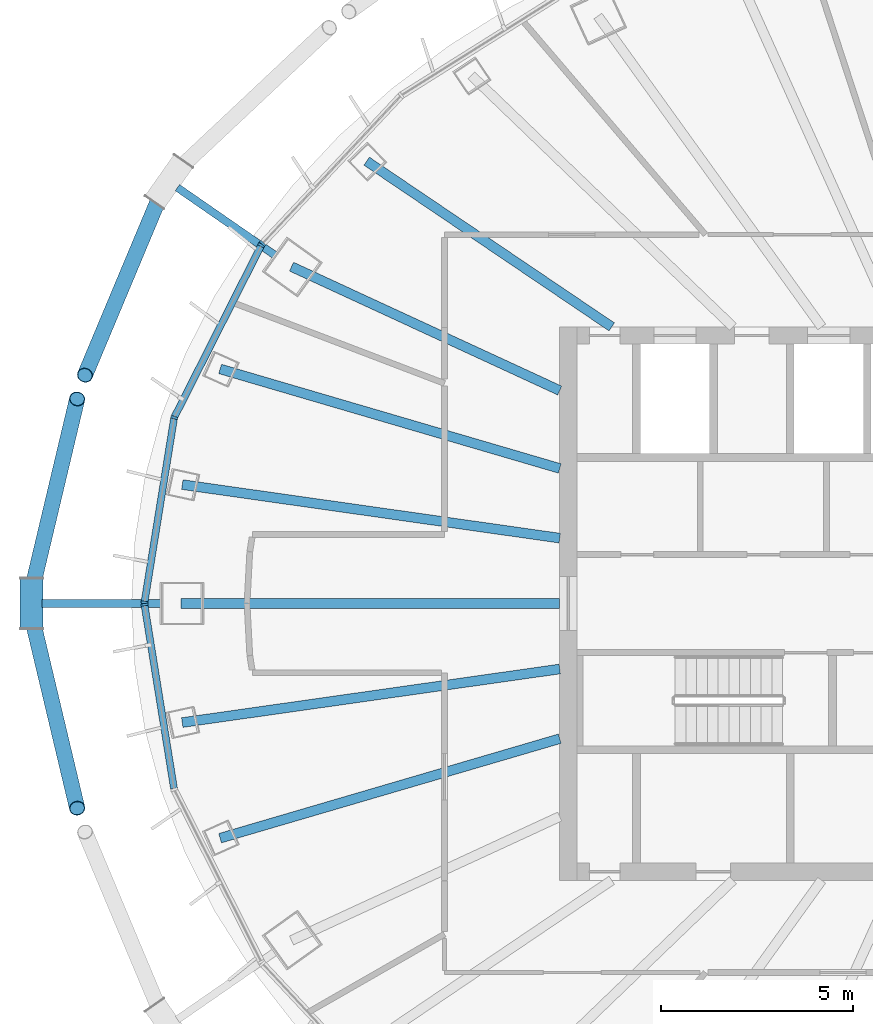
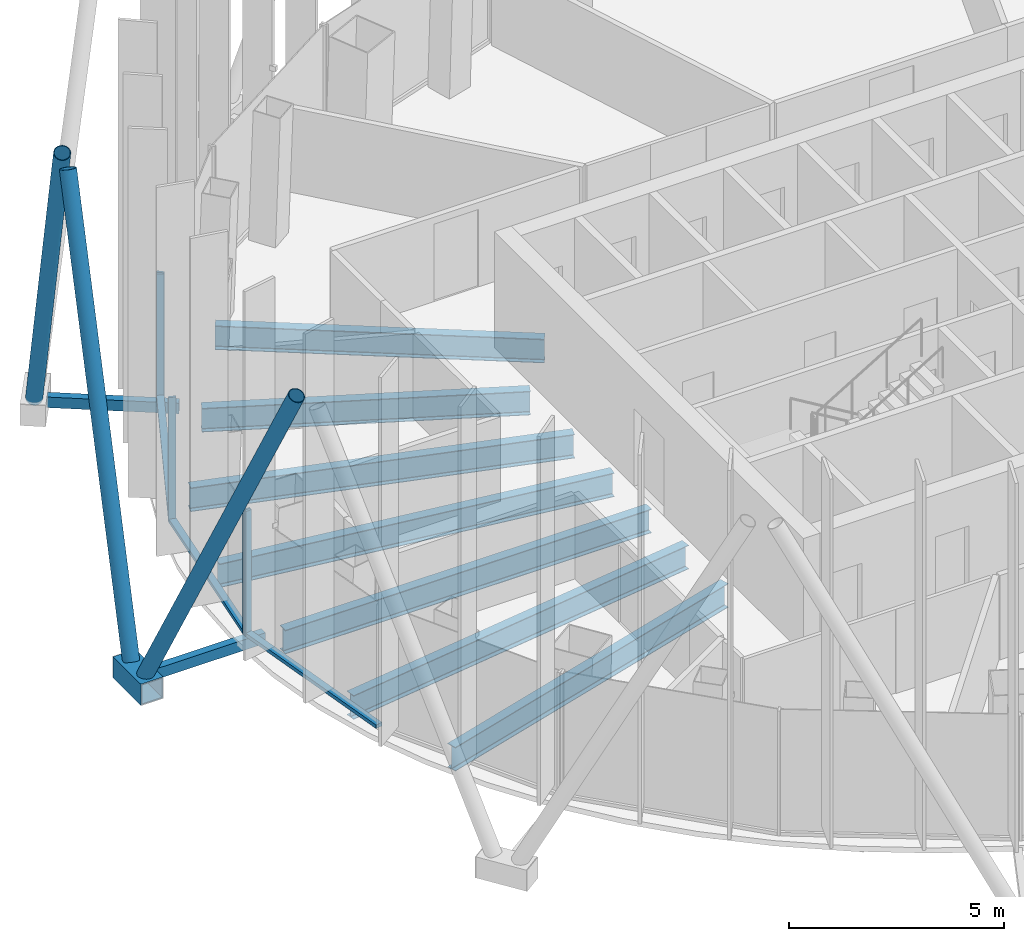
# One storey, part 3 of 17: 14 members, 7 beams, 3 elements without a shape of their own.
"""IFC4 building model written with IfcOpenShell, lengths in metres."""

from ifc_helpers import new_model, si_unit, direction, frame, origin, origin_2d, place, context, subcontext, project, spatial, rectangle, hollow_rectangle, hollow_circle, i_section, extrude, material, layer, layer_set, material_profile, profile_set, type_object, element, aggregate, save


model = new_model("IFC4")

# Units and contexts
model_context = context("Model", 3, precision=1e-05, world=origin(), true_north=direction((0.0, 1.0)))
body_context = subcontext(model_context, "Body", "Model", "MODEL_VIEW")
ifc_project = project(units=[si_unit("LENGTHUNIT", "METRE"), si_unit("AREAUNIT", "SQUARE_METRE"), si_unit("VOLUMEUNIT", "CUBIC_METRE"), si_unit("PLANEANGLEUNIT", "RADIAN"), si_unit("MASSUNIT", "GRAM", prefix="KILO")], contexts=[model_context])

# Site, building, storey
site_placement = place(None, origin())
site = spatial("IfcSite", under=ifc_project, at=site_placement, CompositionType="ELEMENT")
building_placement = place(site_placement, origin())
building = spatial("IfcBuilding", under=site, at=building_placement, Name="Siaravel Broadcast Tower", CompositionType="ELEMENT")
storey_placement = place(building_placement, frame((0.0, 0.0, 190.39990234375)))
storey = spatial("IfcBuildingStorey", under=building, at=storey_placement, Name="L46", CompositionType="ELEMENT", Elevation=190.39990234375)

# Beams
ifc_material_1 = material(Name="Steel S355", Category="steel")
ifc_material_profile_1 = material_profile(ifc_material_1, i_section(OverallWidth=0.2529296875, OverallDepth=0.677978515625, WebThickness=0.01171875, FlangeThickness=0.01611328125, FilletRadius=0.01513671875, at=origin_2d()))
ifc_profile_set_1 = profile_set([ifc_material_profile_1], Name="Steel S355")
beam_type = type_object("IfcBeamType", Name="BM-UB 686x254x125", PredefinedType="BEAM", material=ifc_profile_set_1)
beam_1_placement = place(storey_placement, frame((-17.023681640625, 11.51220703125, -0.489013671875), z_axis=(0.828367821, -0.560184571, 0.0), x_axis=(0.560184571, 0.828367821, 0.0)))
element("IfcBeam", 1, at=beam_1_placement, inside=storey, type_object=beam_type, Name="Radial beam RB15", PredefinedType="BEAM", context=body_context, shape_type="SweptSolid", body=[
    extrude(i_section(OverallWidth=0.2529296875, OverallDepth=0.677978515625, WebThickness=0.01171875, FlangeThickness=0.01611328125, FilletRadius=0.01513671875, at=origin_2d()), origin(), (0.0, 0.0, 1.0), 7.697998046875),
])
beam_2_placement = place(storey_placement, frame((-18.978271484375, 8.7666015625, -0.489013671875), z_axis=(0.907828267, -0.419342148, 0.0), x_axis=(0.419342148, 0.907828267, 0.0)))
element("IfcBeam", 2, at=beam_2_placement, inside=storey, type_object=beam_type, Name="Radial beam RB16", PredefinedType="BEAM", context=body_context, shape_type="SweptSolid", body=[
    extrude(i_section(OverallWidth=0.2529296875, OverallDepth=0.677978515625, WebThickness=0.01171875, FlangeThickness=0.01611328125, FilletRadius=0.01513671875, at=origin_2d()), origin(), (0.0, 0.0, 1.0), 7.686767578125),
])
beam_3_placement = place(storey_placement, frame((-20.837158203125, 6.105224609375, -0.489013671875), z_axis=(0.959660493, -0.281161409, 0.0), x_axis=(0.281161409, 0.959660493, 0.0)))
element("IfcBeam", 3, at=beam_3_placement, inside=storey, type_object=beam_type, Name="Radial beam RB17", PredefinedType="BEAM", context=body_context, shape_type="SweptSolid", body=[
    extrude(i_section(OverallWidth=0.2529296875, OverallDepth=0.677978515625, WebThickness=0.01171875, FlangeThickness=0.01611328125, FilletRadius=0.01513671875, at=origin_2d()), origin(), (0.0, 0.0, 1.0), 9.208740234375),
])
beam_4_placement = place(storey_placement, frame((-21.821533203125, 3.09619140625, -0.489013671875), z_axis=(0.990083424, -0.140480653, 0.0), x_axis=(0.140480653, 0.990083424, 0.0)))
element("IfcBeam", 4, at=beam_4_placement, inside=storey, type_object=beam_type, Name="Radial beam RB18", PredefinedType="BEAM", context=body_context, shape_type="SweptSolid", body=[
    extrude(i_section(OverallWidth=0.2529296875, OverallDepth=0.677978515625, WebThickness=0.01171875, FlangeThickness=0.01611328125, FilletRadius=0.01513671875, at=origin_2d()), origin(), (0.0, 0.0, 1.0), 9.919921875),
])
beam_5_placement = place(storey_placement, frame((-21.852294921875, 0.0, -0.489013671875), z_axis=(1.0, 0.0, 0.0), x_axis=(0.0, 1.0, 0.0)))
element("IfcBeam", 5, at=beam_5_placement, inside=storey, type_object=beam_type, Name="Radial beam RB19", PredefinedType="BEAM", context=body_context, shape_type="SweptSolid", body=[
    extrude(i_section(OverallWidth=0.2529296875, OverallDepth=0.677978515625, WebThickness=0.01171875, FlangeThickness=0.01611328125, FilletRadius=0.01513671875, at=origin_2d()), origin(), (0.0, 0.0, 1.0), 9.852294921875),
])
beam_6_placement = place(storey_placement, frame((-21.821533203125, -3.09619140625, -0.489013671875), z_axis=(0.990083424, 0.140480653, 0.0), x_axis=(-0.140480653, 0.990083424, 0.0)))
element("IfcBeam", 6, at=beam_6_placement, inside=storey, type_object=beam_type, Name="Radial beam RB20", PredefinedType="BEAM", context=body_context, shape_type="SweptSolid", body=[
    extrude(i_section(OverallWidth=0.2529296875, OverallDepth=0.677978515625, WebThickness=0.01171875, FlangeThickness=0.01611328125, FilletRadius=0.01513671875, at=origin_2d()), origin(), (0.0, 0.0, 1.0), 9.919921875),
])
beam_7_placement = place(storey_placement, frame((-20.837158203125, -6.105224609375, -0.489013671875), z_axis=(0.959660493, 0.281161409, 0.0), x_axis=(-0.281161409, 0.959660493, 0.0)))
element("IfcBeam", 7, at=beam_7_placement, inside=storey, type_object=beam_type, Name="Radial beam RB21", PredefinedType="BEAM", context=body_context, shape_type="SweptSolid", body=[
    extrude(i_section(OverallWidth=0.2529296875, OverallDepth=0.677978515625, WebThickness=0.01171875, FlangeThickness=0.01611328125, FilletRadius=0.01513671875, at=origin_2d()), origin(), (0.0, 0.0, 1.0), 9.208740234375),
])

# Curtain wall, member
ifc_material_2 = material(Name="Aluminium 6063-T6", Category="aluminium")
ifc_layer = layer(ifc_material_2, 0.179931640625)
ifc_layer_set = layer_set([ifc_layer], Name="Aluminium 6063-T6")
curtain_wall_type = type_object("IfcCurtainWallType", Name="Unitised curtain wall, zone 3", PredefinedType="NOTDEFINED", material=ifc_layer_set)
curtain_wall_1_placement = place(storey_placement, origin())
curtain_wall_1 = element("IfcCurtainWall", 8, at=curtain_wall_1_placement, inside=storey, type_object=curtain_wall_type, Name="L46 Unitised curtain wall, zone 3 05", PredefinedType="NOTDEFINED")
ifc_material_profile_2 = material_profile(ifc_material_2, rectangle(XDim=0.179931640625, YDim=0.06005859375, at=origin_2d()))
ifc_profile_set_2 = profile_set([ifc_material_profile_2], Name="Aluminium 6063-T6")
member_type_1 = type_object("IfcMemberType", Name="CW-Z3 mullion", PredefinedType="MULLION", material=ifc_profile_set_2)
member_1_placement = place(storey_placement, frame((-19.7314453125, 9.372314453125, 0.0), z_axis=(0.0, 0.0, 1.0), x_axis=(0.729805157, -0.6836552, 0.0)))
member_1 = element("IfcMember", 9, at=member_1_placement, type_object=member_type_1, Name="CW-Z3 mullion 3", PredefinedType="MULLION", context=body_context, shape_type="SweptSolid", body=[
    extrude(rectangle(XDim=0.179931640625, YDim=0.06005859375, at=origin_2d()), origin(), (0.0, 0.0, 1.0), 3.550048828125),
])
aggregate(curtain_wall_1, [member_1])

# Curtain wall, members
curtain_wall_2_placement = place(storey_placement, origin())
curtain_wall_2 = element("IfcCurtainWall", 10, at=curtain_wall_2_placement, inside=storey, type_object=curtain_wall_type, Name="L46 Unitised curtain wall, zone 3 06", PredefinedType="NOTDEFINED")
member_2_placement = place(storey_placement, frame((-19.765380859375, 9.323486328125, 0.0), z_axis=(0.0, 0.0, 1.0), x_axis=(0.892392092, -0.45126085, 0.0)))
member_2 = element("IfcMember", 11, at=member_2_placement, type_object=member_type_1, Name="CW-Z3 mullion 1", PredefinedType="MULLION", context=body_context, shape_type="SweptSolid", body=[
    extrude(rectangle(XDim=0.179931640625, YDim=0.06005859375, at=origin_2d()), origin(), (0.0, 0.0, 1.0), 3.550048828125),
])
member_3_placement = place(storey_placement, frame((-22.0322265625, 4.8408203125, 0.0), z_axis=(0.0, 0.0, 1.0), x_axis=(0.951177224, -0.308645247, 0.0)))
member_3 = element("IfcMember", 12, at=member_3_placement, type_object=member_type_1, Name="CW-Z3 mullion 2", PredefinedType="MULLION", context=body_context, shape_type="SweptSolid", body=[
    extrude(rectangle(XDim=0.179931640625, YDim=0.06005859375, at=origin_2d()), origin(), (0.0, 0.0, 1.0), 3.550048828125),
])
member_4_placement = place(storey_placement, frame((-22.805419921875, 0.029541015625, 0.0), z_axis=(0.0, 0.0, 1.0), x_axis=(0.987329188, -0.158685461, 0.0)))
member_4 = element("IfcMember", 13, at=member_4_placement, type_object=member_type_1, Name="CW-Z3 mullion 3", PredefinedType="MULLION", context=body_context, shape_type="SweptSolid", body=[
    extrude(rectangle(XDim=0.179931640625, YDim=0.06005859375, at=origin_2d()), origin(), (0.0, 0.0, 1.0), 3.550048828125),
])

# Curtain wall, member
curtain_wall_3_placement = place(storey_placement, origin())
curtain_wall_3 = element("IfcCurtainWall", 14, at=curtain_wall_3_placement, inside=storey, type_object=curtain_wall_type, Name="L46 Unitised curtain wall, zone 3 07", PredefinedType="NOTDEFINED")
member_5_placement = place(storey_placement, frame((-22.805419921875, -0.029541015625, 0.0), z_axis=(0.0, 0.0, 1.0), x_axis=(0.987329188, 0.158685461, 0.0)))
member_5 = element("IfcMember", 15, at=member_5_placement, type_object=member_type_1, Name="CW-Z3 mullion 1", PredefinedType="MULLION", context=body_context, shape_type="SweptSolid", body=[
    extrude(rectangle(XDim=0.179931640625, YDim=0.06005859375, at=origin_2d()), origin(), (0.0, 0.0, 1.0), 3.550048828125),
])

# Member
ifc_material_profile_3 = material_profile(ifc_material_2, rectangle(XDim=0.179931640625, YDim=0.10009765625, at=origin_2d()))
ifc_profile_set_3 = profile_set([ifc_material_profile_3], Name="Aluminium 6063-T6")
member_type_2 = type_object("IfcMemberType", Name="CW-Z3 transom", PredefinedType="USERDEFINED", material=ifc_profile_set_3)
member_6_placement = place(storey_placement, frame((-19.77880859375, 9.296875, 0.050048828125), z_axis=(-0.45128156, -0.892381619, 0.0), x_axis=(0.892381619, -0.45128156, 0.0)))
member_6 = element("IfcMember", 16, at=member_6_placement, type_object=member_type_2, Name="CW-Z3 transom 1", ObjectType="TRANSOM", PredefinedType="USERDEFINED", context=body_context, shape_type="SweptSolid", body=[
    extrude(rectangle(XDim=0.179931640625, YDim=0.10009765625, at=origin_2d()), origin(), (0.0, 0.0, 1.0), 4.963623046875),
])

member_7_placement = place(storey_placement, frame((-22.037109375, 4.81103515625, 0.050048828125), z_axis=(-0.158671031, -0.987331507, 0.0), x_axis=(0.987331507, -0.158671031, 0.0)))
member_7 = element("IfcMember", 17, at=member_7_placement, type_object=member_type_2, Name="CW-Z3 transom 2", ObjectType="TRANSOM", PredefinedType="USERDEFINED", context=body_context, shape_type="SweptSolid", body=[
    extrude(rectangle(XDim=0.179931640625, YDim=0.10009765625, at=origin_2d()), origin(), (0.0, 0.0, 1.0), 4.81298828125),
])

aggregate(curtain_wall_2, [member_2, member_3, member_4, member_6, member_7])

member_8_placement = place(storey_placement, frame((-22.80078125, -0.05908203125, 0.050048828125), z_axis=(0.158671031, -0.987331507, 0.0), x_axis=(0.987331507, 0.158671031, 0.0)))
member_8 = element("IfcMember", 18, at=member_8_placement, type_object=member_type_2, Name="CW-Z3 transom 1", ObjectType="TRANSOM", PredefinedType="USERDEFINED", context=body_context, shape_type="SweptSolid", body=[
    extrude(rectangle(XDim=0.179931640625, YDim=0.10009765625, at=origin_2d()), origin(), (0.0, 0.0, 1.0), 4.81298828125),
])

aggregate(curtain_wall_3, [member_5, member_8])

# Members
ifc_material_3 = material(Name="Steel S460", Category="steel")
ifc_material_profile_4 = material_profile(ifc_material_3, hollow_circle(Radius=0.203125, WallThickness=0.01611328125, at=origin_2d()))
ifc_profile_set_4 = profile_set([ifc_material_profile_4], Name="Steel S460")
member_type_3 = type_object("IfcMemberType", Name="Diagrid diagonal CHS 406.4x16", PredefinedType="BRACE", material=ifc_profile_set_4)
member_9_placement = place(storey_placement, frame((-22.355224609375, 10.71240234375, 0.070068359375), z_axis=(-0.170079114, -0.405744155, 0.898022703), x_axis=(0.922252462, -0.386588148, 0.0)))
element("IfcMember", 19, at=member_9_placement, inside=storey, type_object=member_type_3, Name="Diagrid diagonal R19 station 30A", PredefinedType="BRACE", context=body_context, shape_type="SweptSolid", body=[
    extrude(hollow_circle(Radius=0.203125, WallThickness=0.01611328125, at=origin_2d()), origin(), (0.0, 0.0, 1.0), 11.75927734375),
])
for number, where, z_axis, x_axis, name in (
    (20, (-25.744384765625, 0.323486328125, 0.070068359375), (0.101145498, 0.425929387, 0.899084949), (-0.972943089, 0.231044901, 0.0), "Diagrid diagonal R19 station 36C"),
    (21, (-25.744384765625, -0.323486328125, 0.070068359375), (0.101145498, -0.425929387, 0.899084949), (0.972943089, 0.231044901, 0.0), "Diagrid diagonal R19 station 36A"),
):
    element("IfcMember", number, at=place(storey_placement, frame(where, z_axis=z_axis, x_axis=x_axis)), inside=storey, type_object=member_type_3, Name=name, PredefinedType="BRACE", context=body_context, shape_type="SweptSolid", body=[
        extrude(hollow_circle(Radius=0.203125, WallThickness=0.01611328125, at=origin_2d()), origin(), (0.0, 0.0, 1.0), 11.745361328125),
    ])
ifc_material_profile_5 = material_profile(ifc_material_3, hollow_rectangle(XDim=0.60009765625, YDim=0.60009765625, WallThickness=0.031982421875, at=origin_2d()))
ifc_profile_set_5 = profile_set([ifc_material_profile_5], Name="Steel S460")
member_type_4 = type_object("IfcMemberType", Name="Diagrid node BOX 600x600x32", PredefinedType="USERDEFINED", material=ifc_profile_set_5)
member_10_placement = place(storey_placement, frame((-25.744384765625, 0.646728515625, -0.199951171875), z_axis=(0.0, -1.0, 0.0), x_axis=(1.0, 0.0, 0.0)))
element("IfcMember", 22, at=member_10_placement, inside=storey, type_object=member_type_4, Name="Diagrid node R19 station 36", ObjectType="DIAGRID NODE", PredefinedType="USERDEFINED", context=body_context, shape_type="SweptSolid", body=[
    extrude(hollow_rectangle(XDim=0.60009765625, YDim=0.60009765625, WallThickness=0.031982421875, at=origin_2d()), origin(), (0.0, 0.0, 1.0), 1.29345703125),
])
ifc_material_profile_6 = material_profile(ifc_material_3, hollow_rectangle(XDim=0.199951171875, YDim=0.300048828125, WallThickness=0.012451171875, at=origin_2d()))
ifc_profile_set_6 = profile_set([ifc_material_profile_6], Name="Steel S460")
member_type_5 = type_object("IfcMemberType", Name="Diagrid node arm RHS 300x200x12.5", PredefinedType="STRUT", material=ifc_profile_set_6)
member_11_placement = place(storey_placement, frame((-19.40576171875, 9.062744140625, -0.199951171875), z_axis=(-0.822052855, 0.569411191, 0.0), x_axis=(-0.569411191, -0.822052855, 0.0)))
element("IfcMember", 23, at=member_11_placement, inside=storey, type_object=member_type_5, Name="Node arm R19 station 30", PredefinedType="STRUT", context=body_context, shape_type="SweptSolid", body=[
    extrude(hollow_rectangle(XDim=0.199951171875, YDim=0.300048828125, WallThickness=0.012451171875, at=origin_2d()), origin(), (0.0, 0.0, 1.0), 3.09130859375),
])
member_12_placement = place(storey_placement, frame((-22.372314453125, 0.0, -0.199951171875), z_axis=(-1.0, 0.0, 0.0), x_axis=(0.0, -1.0, 0.0)))
element("IfcMember", 24, at=member_12_placement, inside=storey, type_object=member_type_5, Name="Node arm R19 station 36", PredefinedType="STRUT", context=body_context, shape_type="SweptSolid", body=[
    extrude(hollow_rectangle(XDim=0.199951171875, YDim=0.300048828125, WallThickness=0.012451171875, at=origin_2d()), origin(), (0.0, 0.0, 1.0), 3.102294921875),
])

save(model, "model.ifc")
